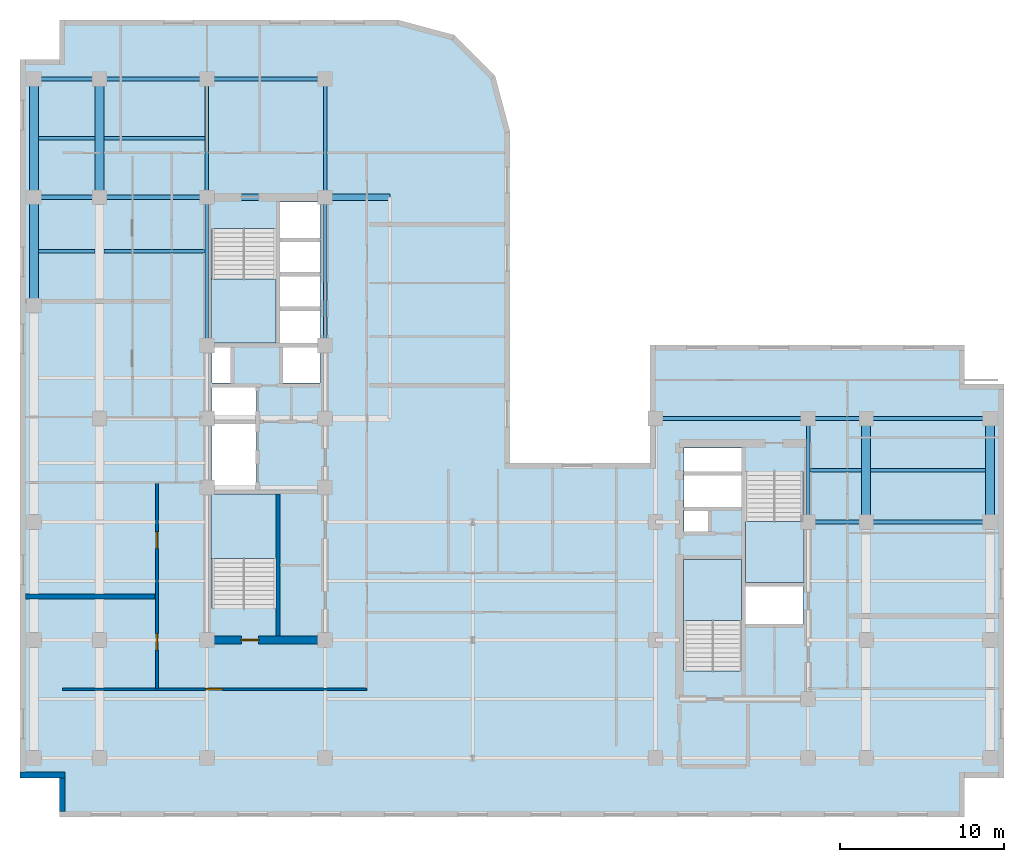
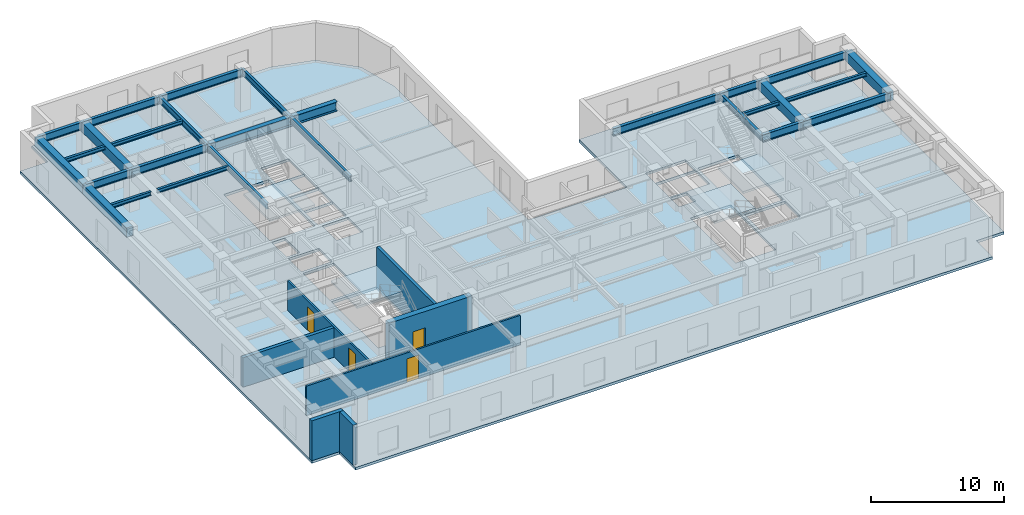
# One storey, part 3 of 11: 27 beams, 7 walls, 5 slabs, 4 doors, 4 openings, 4 elements without a shape of their own.
"""IFC4 building model written with IfcOpenShell, lengths in metres."""

from ifc_helpers import new_model, entity, si_unit, converted_unit, direction, frame, origin_with_axes, origin_2d_with_axis, place, context, subcontext, project, spatial, polyline, rectangle, i_section, outline, extrude, material, layer, layer_set, material_profile, profile_set, type_object, element, fill, aggregate, save


model = new_model("IFC4")

# Units and contexts
model_context = context("Model", 3, precision=1e-05, world=origin_with_axes(), true_north=direction((0.0, 1.0)))
body_context = subcontext(model_context, "Body", "Model", "MODEL_VIEW")
ifc_project = project(units=[si_unit("LENGTHUNIT", "METRE"), si_unit("AREAUNIT", "SQUARE_METRE"), si_unit("VOLUMEUNIT", "CUBIC_METRE"), converted_unit("PLANEANGLEUNIT", "DEGREE", entity("IfcPlaneAngleMeasure", 0.017453292519943295), si_unit("PLANEANGLEUNIT", "RADIAN"), dimensions=[0, 0, 0, 0, 0, 0, 0]), si_unit("MASSUNIT", "GRAM", prefix="KILO"), si_unit("THERMODYNAMICTEMPERATUREUNIT", "KELVIN")], contexts=[model_context])

# Site, building, storey
site_placement = place(None, origin_with_axes())
site = spatial("IfcSite", under=ifc_project, at=site_placement, CompositionType="ELEMENT")
building_placement = place(site_placement, origin_with_axes())
building = spatial("IfcBuilding", under=site, at=building_placement, Name="Varnlund Millrace Tower", CompositionType="ELEMENT")
storey_placement = place(building_placement, frame((0.0, 0.0, 204.3), z_axis=(0.0, 0.0, 1.0), x_axis=(1.0, 0.0, 0.0)))
storey = spatial("IfcBuildingStorey", under=building, at=storey_placement, Name="L50", CompositionType="ELEMENT", Elevation=204.3)

# Beams
ifc_material_1 = material(Name="Steel ASTM A992 Grade 50", Category="steel")
ifc_material_profile_1 = material_profile(ifc_material_1, i_section(OverallWidth=0.214, OverallDepth=0.549, WebThickness=0.0147, FlangeThickness=0.0236, FilletRadius=0.015, at=origin_2d_with_axis()), Name="Steel ASTM A992 Grade 50")
ifc_profile_set_1 = profile_set([ifc_material_profile_1], Name="Steel ASTM A992 Grade 50")
beam_type_1 = type_object("IfcBeamType", Name="Type-Beam-W21X93", PredefinedType="BEAM", material=ifc_profile_set_1)
beam_1_placement = place(storey_placement, frame((11.4, 28.75, 3.3855), z_axis=(0.0, 1.0, 0.0), x_axis=(-1.0, 0.0, 0.0)))
element("IfcBeam", 1, at=beam_1_placement, inside=storey, type_object=beam_type_1, Name="Type-Beam-W21X93", PredefinedType="BEAM", context=body_context, shape_type="SweptSolid", body=[
    extrude(i_section(OverallWidth=0.214, OverallDepth=0.549, WebThickness=0.0147, FlangeThickness=0.0236, FilletRadius=0.015, at=origin_2d_with_axis()), origin_with_axes(), (0.0, 0.0, 1.0), 9.05),
])
beam_2_placement = place(storey_placement, frame((11.4, 37.8, 3.3855), z_axis=(0.0, 1.0, 0.0), x_axis=(-1.0, 0.0, 0.0)))
element("IfcBeam", 2, at=beam_2_placement, inside=storey, type_object=beam_type_1, Name="Type-Beam-W21X93", PredefinedType="BEAM", context=body_context, shape_type="SweptSolid", body=[
    extrude(i_section(OverallWidth=0.214, OverallDepth=0.549, WebThickness=0.0147, FlangeThickness=0.0236, FilletRadius=0.015, at=origin_2d_with_axis()), origin_with_axes(), (0.0, 0.0, 1.0), 7.2),
])
beam_3_placement = place(storey_placement, frame((18.6, 28.75, 3.3855), z_axis=(0.0, 1.0, 0.0), x_axis=(-1.0, 0.0, 0.0)))
element("IfcBeam", 3, at=beam_3_placement, inside=storey, type_object=beam_type_1, Name="Type-Beam-W21X93", PredefinedType="BEAM", context=body_context, shape_type="SweptSolid", body=[
    extrude(i_section(OverallWidth=0.214, OverallDepth=0.549, WebThickness=0.0147, FlangeThickness=0.0236, FilletRadius=0.015, at=origin_2d_with_axis()), origin_with_axes(), (0.0, 0.0, 1.0), 9.05),
])
beam_4_placement = place(storey_placement, frame((18.6, 37.8, 3.3855), z_axis=(0.0, 1.0, 0.0), x_axis=(-1.0, 0.0, 0.0)))
element("IfcBeam", 4, at=beam_4_placement, inside=storey, type_object=beam_type_1, Name="Type-Beam-W21X93", PredefinedType="BEAM", context=body_context, shape_type="SweptSolid", body=[
    extrude(i_section(OverallWidth=0.214, OverallDepth=0.549, WebThickness=0.0147, FlangeThickness=0.0236, FilletRadius=0.015, at=origin_2d_with_axis()), origin_with_axes(), (0.0, 0.0, 1.0), 7.2),
])
beam_5_placement = place(storey_placement, frame((48.05, 18.0, 3.3855), z_axis=(0.0, 1.0, 0.0), x_axis=(-1.0, 0.0, 0.0)))
element("IfcBeam", 5, at=beam_5_placement, inside=storey, type_object=beam_type_1, Name="Type-Beam-W21X93", PredefinedType="BEAM", context=body_context, shape_type="SweptSolid", body=[
    extrude(i_section(OverallWidth=0.214, OverallDepth=0.549, WebThickness=0.0147, FlangeThickness=0.0236, FilletRadius=0.015, at=origin_2d_with_axis()), origin_with_axes(), (0.0, 0.0, 1.0), 6.3),
])
ifc_material_profile_2 = material_profile(ifc_material_1, i_section(OverallWidth=0.256, OverallDepth=0.693, WebThickness=0.0145, FlangeThickness=0.0236, FilletRadius=0.018, at=origin_2d_with_axis()), Name="Steel ASTM A992 Grade 50")
ifc_profile_set_2 = profile_set([ifc_material_profile_2], Name="Steel ASTM A992 Grade 50")
beam_type_2 = type_object("IfcBeamType", Name="Type-Girder-W27X114", PredefinedType="USERDEFINED", material=ifc_profile_set_2)
beam_6_placement = place(storey_placement, frame((48.05, 18.0, 3.3135), z_axis=(1.0, 0.0, 0.0), x_axis=(0.0, 1.0, 0.0)))
element("IfcBeam", 6, at=beam_6_placement, inside=storey, type_object=beam_type_2, Name="Type-Girder-W27X114", ObjectType="GIRDER", PredefinedType="USERDEFINED", context=body_context, shape_type="SweptSolid", body=[
    extrude(i_section(OverallWidth=0.256, OverallDepth=0.693, WebThickness=0.0145, FlangeThickness=0.0236, FilletRadius=0.018, at=origin_2d_with_axis()), origin_with_axes(), (0.0, 0.0, 1.0), 3.55),
])
beam_7_placement = place(storey_placement, frame((51.6, 18.0, 3.3135), z_axis=(1.0, 0.0, 0.0), x_axis=(0.0, 1.0, 0.0)))
element("IfcBeam", 7, at=beam_7_placement, inside=storey, type_object=beam_type_2, Name="Type-Girder-W27X114", ObjectType="GIRDER", PredefinedType="USERDEFINED", context=body_context, shape_type="SweptSolid", body=[
    extrude(i_section(OverallWidth=0.256, OverallDepth=0.693, WebThickness=0.0145, FlangeThickness=0.0236, FilletRadius=0.018, at=origin_2d_with_axis()), origin_with_axes(), (0.0, 0.0, 1.0), 7.55),
])
beam_8_placement = place(storey_placement, frame((38.75, 24.3, 3.3135), z_axis=(1.0, 0.0, 0.0), x_axis=(0.0, 1.0, 0.0)))
element("IfcBeam", 8, at=beam_8_placement, inside=storey, type_object=beam_type_2, Name="Type-Girder-W27X114", ObjectType="GIRDER", PredefinedType="USERDEFINED", context=body_context, shape_type="SweptSolid", body=[
    extrude(i_section(OverallWidth=0.256, OverallDepth=0.693, WebThickness=0.0145, FlangeThickness=0.0236, FilletRadius=0.018, at=origin_2d_with_axis()), origin_with_axes(), (0.0, 0.0, 1.0), 9.3),
])
beam_9_placement = place(storey_placement, frame((48.05, 24.3, 3.3135), z_axis=(1.0, 0.0, 0.0), x_axis=(0.0, 1.0, 0.0)))
element("IfcBeam", 9, at=beam_9_placement, inside=storey, type_object=beam_type_2, Name="Type-Girder-W27X114", ObjectType="GIRDER", PredefinedType="USERDEFINED", context=body_context, shape_type="SweptSolid", body=[
    extrude(i_section(OverallWidth=0.256, OverallDepth=0.693, WebThickness=0.0145, FlangeThickness=0.0236, FilletRadius=0.018, at=origin_2d_with_axis()), origin_with_axes(), (0.0, 0.0, 1.0), 3.55),
])
beam_10_placement = place(storey_placement, frame((51.6, 24.3, 3.3135), z_axis=(1.0, 0.0, 0.0), x_axis=(0.0, 1.0, 0.0)))
element("IfcBeam", 10, at=beam_10_placement, inside=storey, type_object=beam_type_2, Name="Type-Girder-W27X114", ObjectType="GIRDER", PredefinedType="USERDEFINED", context=body_context, shape_type="SweptSolid", body=[
    extrude(i_section(OverallWidth=0.256, OverallDepth=0.693, WebThickness=0.0145, FlangeThickness=0.0236, FilletRadius=0.018, at=origin_2d_with_axis()), origin_with_axes(), (0.0, 0.0, 1.0), 7.55),
])
beam_11_placement = place(storey_placement, frame((0.85, 37.8, 3.3135), z_axis=(1.0, 0.0, 0.0), x_axis=(0.0, 1.0, 0.0)))
element("IfcBeam", 11, at=beam_11_placement, inside=storey, type_object=beam_type_2, Name="Type-Girder-W27X114", ObjectType="GIRDER", PredefinedType="USERDEFINED", context=body_context, shape_type="SweptSolid", body=[
    extrude(i_section(OverallWidth=0.256, OverallDepth=0.693, WebThickness=0.0145, FlangeThickness=0.0236, FilletRadius=0.018, at=origin_2d_with_axis()), origin_with_axes(), (0.0, 0.0, 1.0), 4.0),
])
beam_12_placement = place(storey_placement, frame((4.85, 37.8, 3.3135), z_axis=(1.0, 0.0, 0.0), x_axis=(0.0, 1.0, 0.0)))
element("IfcBeam", 12, at=beam_12_placement, inside=storey, type_object=beam_type_2, Name="Type-Girder-W27X114", ObjectType="GIRDER", PredefinedType="USERDEFINED", context=body_context, shape_type="SweptSolid", body=[
    extrude(i_section(OverallWidth=0.256, OverallDepth=0.693, WebThickness=0.0145, FlangeThickness=0.0236, FilletRadius=0.018, at=origin_2d_with_axis()), origin_with_axes(), (0.0, 0.0, 1.0), 6.55),
])
beam_13_placement = place(storey_placement, frame((0.85, 45.0, 3.3135), z_axis=(1.0, 0.0, 0.0), x_axis=(0.0, 1.0, 0.0)))
element("IfcBeam", 13, at=beam_13_placement, inside=storey, type_object=beam_type_2, Name="Type-Girder-W27X114", ObjectType="GIRDER", PredefinedType="USERDEFINED", context=body_context, shape_type="SweptSolid", body=[
    extrude(i_section(OverallWidth=0.256, OverallDepth=0.693, WebThickness=0.0145, FlangeThickness=0.0236, FilletRadius=0.018, at=origin_2d_with_axis()), origin_with_axes(), (0.0, 0.0, 1.0), 4.0),
])
beam_14_placement = place(storey_placement, frame((4.85, 45.0, 3.3135), z_axis=(1.0, 0.0, 0.0), x_axis=(0.0, 1.0, 0.0)))
element("IfcBeam", 14, at=beam_14_placement, inside=storey, type_object=beam_type_2, Name="Type-Girder-W27X114", ObjectType="GIRDER", PredefinedType="USERDEFINED", context=body_context, shape_type="SweptSolid", body=[
    extrude(i_section(OverallWidth=0.256, OverallDepth=0.693, WebThickness=0.0145, FlangeThickness=0.0236, FilletRadius=0.018, at=origin_2d_with_axis()), origin_with_axes(), (0.0, 0.0, 1.0), 6.55),
])
beam_15_placement = place(storey_placement, frame((11.4, 45.0, 3.3135), z_axis=(1.0, 0.0, 0.0), x_axis=(0.0, 1.0, 0.0)))
element("IfcBeam", 15, at=beam_15_placement, inside=storey, type_object=beam_type_2, Name="Type-Girder-W27X114", ObjectType="GIRDER", PredefinedType="USERDEFINED", context=body_context, shape_type="SweptSolid", body=[
    extrude(i_section(OverallWidth=0.256, OverallDepth=0.693, WebThickness=0.0145, FlangeThickness=0.0236, FilletRadius=0.018, at=origin_2d_with_axis()), origin_with_axes(), (0.0, 0.0, 1.0), 7.2),
])
ifc_material_profile_3 = material_profile(ifc_material_1, i_section(OverallWidth=0.399, OverallDepth=0.855, WebThickness=0.0182, FlangeThickness=0.0292, FilletRadius=0.022, at=origin_2d_with_axis()), Name="Steel ASTM A992 Grade 50")
ifc_profile_set_3 = profile_set([ifc_material_profile_3], Name="Steel ASTM A992 Grade 50")
beam_type_3 = type_object("IfcBeamType", Name="Type-Girder-W33X201", PredefinedType="USERDEFINED", material=ifc_profile_set_3)
beam_16_placement = place(storey_placement, frame((11.4, 37.8, 3.2325), z_axis=(1.0, 0.0, 0.0), x_axis=(0.0, 1.0, 0.0)))
element("IfcBeam", 16, at=beam_16_placement, inside=storey, type_object=beam_type_3, Name="Type-Girder-W33X201", ObjectType="GIRDER", PredefinedType="USERDEFINED", context=body_context, shape_type="SweptSolid", body=[
    extrude(i_section(OverallWidth=0.399, OverallDepth=0.855, WebThickness=0.0182, FlangeThickness=0.0292, FilletRadius=0.022, at=origin_2d_with_axis()), origin_with_axes(), (0.0, 0.0, 1.0), 11.15),
])
ifc_material_profile_4 = material_profile(ifc_material_1, i_section(OverallWidth=0.204, OverallDepth=0.35, WebThickness=0.0086, FlangeThickness=0.0151, FilletRadius=0.013, at=origin_2d_with_axis()), Name="Steel ASTM A992 Grade 50")
ifc_profile_set_4 = profile_set([ifc_material_profile_4], Name="Steel ASTM A992 Grade 50")
beam_type_4 = type_object("IfcBeamType", Name="Type-Joist-W14X48", PredefinedType="JOIST", material=ifc_profile_set_4)
for number, where, z_axis, x_axis, name in (
    (17, (1.125, 34.5, 3.485), (1.0, 0.0, 0.0), (0.0, 1.0, 0.0), "Type-Joist-W14X48"),
    (18, (1.125, 41.4, 3.485), (1.0, 0.0, 0.0), (0.0, 1.0, 0.0), "Type-Joist-W14X48"),
):
    element("IfcBeam", number, at=place(storey_placement, frame(where, z_axis=z_axis, x_axis=x_axis)), inside=storey, type_object=beam_type_4, Name=name, PredefinedType="JOIST", context=body_context, shape_type="SweptSolid", body=[
        extrude(i_section(OverallWidth=0.204, OverallDepth=0.35, WebThickness=0.0086, FlangeThickness=0.0151, FilletRadius=0.013, at=origin_2d_with_axis()), origin_with_axes(), (0.0, 0.0, 1.0), 3.45),
    ])
for number, where, z_axis, x_axis, name in (
    (19, (5.125, 34.5, 3.485), (1.0, 0.0, 0.0), (0.0, 1.0, 0.0), "Type-Joist-W14X48"),
    (20, (5.125, 41.4, 3.485), (1.0, 0.0, 0.0), (0.0, 1.0, 0.0), "Type-Joist-W14X48"),
):
    element("IfcBeam", number, at=place(storey_placement, frame(where, z_axis=z_axis, x_axis=x_axis)), inside=storey, type_object=beam_type_4, Name=name, PredefinedType="JOIST", context=body_context, shape_type="SweptSolid", body=[
        extrude(i_section(OverallWidth=0.204, OverallDepth=0.35, WebThickness=0.0086, FlangeThickness=0.0151, FilletRadius=0.013, at=origin_2d_with_axis()), origin_with_axes(), (0.0, 0.0, 1.0), 6.168),
    ])
beam_17_placement = place(storey_placement, frame((48.157, 21.15, 3.485), z_axis=(1.0, 0.0, 0.0), x_axis=(0.0, 1.0, 0.0)))
element("IfcBeam", 21, at=beam_17_placement, inside=storey, type_object=beam_type_4, Name="Type-Joist-W14X48", PredefinedType="JOIST", context=body_context, shape_type="SweptSolid", body=[
    extrude(i_section(OverallWidth=0.204, OverallDepth=0.35, WebThickness=0.0086, FlangeThickness=0.0151, FilletRadius=0.013, at=origin_2d_with_axis()), origin_with_axes(), (0.0, 0.0, 1.0), 3.168),
])
beam_18_placement = place(storey_placement, frame((51.875, 21.15, 3.485), z_axis=(1.0, 0.0, 0.0), x_axis=(0.0, 1.0, 0.0)))
element("IfcBeam", 22, at=beam_18_placement, inside=storey, type_object=beam_type_4, Name="Type-Joist-W14X48", PredefinedType="JOIST", context=body_context, shape_type="SweptSolid", body=[
    extrude(i_section(OverallWidth=0.204, OverallDepth=0.35, WebThickness=0.0086, FlangeThickness=0.0151, FilletRadius=0.013, at=origin_2d_with_axis()), origin_with_axes(), (0.0, 0.0, 1.0), 7.0),
])
ifc_material_2 = material(Name="Concrete C60/75", Category="concrete")
ifc_material_profile_5 = material_profile(ifc_material_2, rectangle(XDim=0.55, YDim=0.85, at=origin_2d_with_axis()), Name="Concrete C60/75")
ifc_profile_set_5 = profile_set([ifc_material_profile_5], Name="Concrete C60/75")
beam_type_5 = type_object("IfcBeamType", Name="Type-Spandrel-RC550X850", PredefinedType="SPANDREL", material=ifc_profile_set_5)
beam_19_placement = place(storey_placement, frame((0.85, 31.2, 3.235), z_axis=(0.0, 1.0, 0.0), x_axis=(-1.0, 0.0, 0.0)))
element("IfcBeam", 23, at=beam_19_placement, inside=storey, type_object=beam_type_5, Name="Type-Spandrel-RC550X850", PredefinedType="SPANDREL", context=body_context, shape_type="SweptSolid", body=[
    extrude(rectangle(XDim=0.55, YDim=0.85, at=origin_2d_with_axis()), origin_with_axes(), (0.0, 0.0, 1.0), 6.6),
])
for number, where, z_axis, x_axis, name in (
    (24, (0.85, 37.8, 3.235), (0.0, 1.0, 0.0), (-1.0, 0.0, 0.0), "Type-Spandrel-RC550X850"),
    (25, (4.85, 37.8, 3.235), (0.0, 1.0, 0.0), (-1.0, 0.0, 0.0), "Type-Spandrel-RC550X850"),
):
    element("IfcBeam", number, at=place(storey_placement, frame(where, z_axis=z_axis, x_axis=x_axis)), inside=storey, type_object=beam_type_5, Name=name, PredefinedType="SPANDREL", context=body_context, shape_type="SweptSolid", body=[
        extrude(rectangle(XDim=0.55, YDim=0.85, at=origin_2d_with_axis()), origin_with_axes(), (0.0, 0.0, 1.0), 7.2),
    ])
for number, where, z_axis, x_axis, name in (
    (26, (51.6, 18.0, 3.235), (0.0, 1.0, 0.0), (-1.0, 0.0, 0.0), "Type-Spandrel-RC550X850"),
    (27, (59.15, 18.0, 3.235), (0.0, 1.0, 0.0), (-1.0, 0.0, 0.0), "Type-Spandrel-RC550X850"),
):
    element("IfcBeam", number, at=place(storey_placement, frame(where, z_axis=z_axis, x_axis=x_axis)), inside=storey, type_object=beam_type_5, Name=name, PredefinedType="SPANDREL", context=body_context, shape_type="SweptSolid", body=[
        extrude(rectangle(XDim=0.55, YDim=0.85, at=origin_2d_with_axis()), origin_with_axes(), (0.0, 0.0, 1.0), 6.3),
    ])

# Slab
ifc_layer_1 = layer(ifc_material_2, 0.24, Name="Concrete C60/75")
ifc_layer_set_1 = layer_set([ifc_layer_1], Name="Concrete C60/75")
slab_type_1 = type_object("IfcSlabType", Name="Type-Deck-Plate-Typical-240", PredefinedType="FLOOR", material=ifc_layer_set_1)
slab_1_placement = place(storey_placement, frame((0.0, 0.0, -0.24), z_axis=(0.0, 0.0, 1.0), x_axis=(1.0, 0.0, 0.0)))
element("IfcSlab", 28, at=slab_1_placement, inside=storey, type_object=slab_type_1, Name="Type-Deck-Plate-Typical-240", PredefinedType="FLOOR", context=body_context, shape_type="SweptSolid", body=[
    extrude(outline(polyline([(29.881, 21.6), (29.881, 41.8), (28.97, 45.2), (26.481, 47.689), (23.081, 48.6), (2.4, 48.6), (2.4, 46.2), (0.0, 46.2), (0.0, 2.4), (2.4, 2.4), (2.4, 0.0), (57.6, 0.0), (57.6, 2.4), (60.0, 2.4), (60.0, 26.4), (57.6, 26.4), (57.6, 28.8), (38.4, 28.8), (38.4, 21.6), (29.881, 21.6)]), holes=[polyline([(15.6, 12.715), (11.7, 12.715), (11.7, 19.7), (15.6, 19.7), (15.6, 12.715)]), polyline([(14.38, 23.98), (14.38, 19.94), (11.7, 19.94), (11.7, 23.98), (14.38, 23.98)]), polyline([(14.38, 24.24), (11.7, 24.24), (11.7, 26.2), (14.38, 26.2), (14.38, 24.24)]), polyline([(12.84, 26.46), (11.7, 26.46), (11.7, 28.65), (12.84, 28.65), (12.84, 26.46)]), polyline([(18.3, 28.9), (15.84, 28.9), (15.84, 30.98), (18.3, 30.98), (18.3, 28.9)]), polyline([(18.3, 31.02), (15.84, 31.02), (15.84, 33.08), (18.3, 33.08), (18.3, 31.02)]), polyline([(15.6, 28.9), (11.7, 28.9), (11.7, 35.885), (15.6, 35.885), (15.6, 28.9)]), polyline([(18.3, 33.12), (15.84, 33.12), (15.84, 35.18), (18.3, 35.18), (18.3, 33.12)]), polyline([(44.0, 8.915), (40.5, 8.915), (40.5, 15.7), (44.0, 15.7), (44.0, 8.915)]), polyline([(47.75, 11.74), (44.25, 11.74), (44.25, 14.06), (47.75, 14.06), (47.75, 11.74)]), polyline([(47.75, 14.3), (44.25, 14.3), (44.25, 21.085), (47.75, 21.085), (47.75, 14.3)]), polyline([(41.95, 17.42), (40.5, 17.42), (40.5, 18.72), (41.95, 18.72), (41.95, 17.42)]), polyline([(44.0, 18.88), (40.5, 18.88), (40.5, 20.94), (44.0, 20.94), (44.0, 18.88)]), polyline([(44.0, 21.0), (40.5, 21.0), (40.5, 22.5), (44.0, 22.5), (44.0, 21.0)]), polyline([(16.04, 26.46), (16.04, 28.65), (18.3, 28.65), (18.3, 26.46), (16.04, 26.46)]), polyline([(15.84, 35.22), (15.84, 37.5), (18.3, 37.5), (18.3, 35.22), (15.84, 35.22)])]), origin_with_axes(), (0.0, 0.0, 1.0), 0.24),
])

# Stair, slab
ifc_material_3 = material(Name="Concrete C50/60", Category="concrete")
stair_type_1 = type_object("IfcStairType", Name="Type-Stair-Dogleg-185-390", PredefinedType="HALF_TURN_STAIR", material=ifc_material_3)
stair_1_placement = place(storey_placement, origin_with_axes())
stair_1 = element("IfcStair", 29, at=stair_1_placement, inside=storey, type_object=stair_type_1, Name="Type-Stair-Dogleg-185-390", PredefinedType="HALF_TURN_STAIR")
ifc_layer_2 = layer(ifc_material_3, 0.2, Name="Concrete C50/60")
ifc_layer_set_2 = layer_set([ifc_layer_2], Name="Concrete C50/60")
slab_type_2 = type_object("IfcSlabType", Name="Type-StairLanding-200", PredefinedType="LANDING", material=ifc_layer_set_2)
slab_2_placement = place(storey_placement, frame((0.0, 0.0, 1.75), z_axis=(0.0, 0.0, 1.0), x_axis=(1.0, 0.0, 0.0)))
slab_2 = element("IfcSlab", 30, at=slab_2_placement, type_object=slab_type_2, Name="ST-A1 landing 1", PredefinedType="LANDING", context=body_context, shape_type="SweptSolid", body=[
    extrude(outline(polyline([(15.6, 15.78), (15.6, 19.7), (11.65, 19.7), (11.65, 15.78), (15.6, 15.78)])), origin_with_axes(), (0.0, 0.0, 1.0), 0.2),
])
aggregate(stair_1, [slab_2])

stair_2_placement = place(storey_placement, origin_with_axes())
stair_2 = element("IfcStair", 31, at=stair_2_placement, inside=storey, type_object=stair_type_1, Name="Type-Stair-Dogleg-185-390", PredefinedType="HALF_TURN_STAIR")
slab_3_placement = place(storey_placement, frame((0.0, 0.0, 1.75), z_axis=(0.0, 0.0, 1.0), x_axis=(1.0, 0.0, 0.0)))
slab_3 = element("IfcSlab", 32, at=slab_3_placement, type_object=slab_type_2, Name="ST-A2 landing 1", PredefinedType="LANDING", context=body_context, shape_type="SweptSolid", body=[
    extrude(outline(polyline([(11.65, 32.82), (11.65, 28.9), (15.6, 28.9), (15.6, 32.82), (11.65, 32.82)])), origin_with_axes(), (0.0, 0.0, 1.0), 0.2),
])
aggregate(stair_2, [slab_3])

stair_type_2 = type_object("IfcStairType", Name="Type-Stair-Dogleg-165-390", PredefinedType="HALF_TURN_STAIR", material=ifc_material_3)
stair_3_placement = place(storey_placement, origin_with_axes())
stair_3 = element("IfcStair", 33, at=stair_3_placement, inside=storey, type_object=stair_type_2, Name="Type-Stair-Dogleg-165-390", PredefinedType="HALF_TURN_STAIR")
slab_4_placement = place(storey_placement, frame((0.0, 0.0, 1.75), z_axis=(0.0, 0.0, 1.0), x_axis=(1.0, 0.0, 0.0)))
slab_4 = element("IfcSlab", 34, at=slab_4_placement, type_object=slab_type_2, Name="ST-B1 landing 1", PredefinedType="LANDING", context=body_context, shape_type="SweptSolid", body=[
    extrude(outline(polyline([(44.0, 11.98), (44.0, 15.7), (40.45, 15.7), (40.45, 11.98), (44.0, 11.98)])), origin_with_axes(), (0.0, 0.0, 1.0), 0.2),
])
aggregate(stair_3, [slab_4])

stair_4_placement = place(storey_placement, origin_with_axes())
stair_4 = element("IfcStair", 35, at=stair_4_placement, inside=storey, type_object=stair_type_2, Name="Type-Stair-Dogleg-165-390", PredefinedType="HALF_TURN_STAIR")
slab_5_placement = place(storey_placement, frame((0.0, 0.0, 1.75), z_axis=(0.0, 0.0, 1.0), x_axis=(1.0, 0.0, 0.0)))
slab_5 = element("IfcSlab", 36, at=slab_5_placement, type_object=slab_type_2, Name="ST-B2 landing 1", PredefinedType="LANDING", context=body_context, shape_type="SweptSolid", body=[
    extrude(outline(polyline([(44.25, 18.02), (44.25, 14.3), (47.8, 14.3), (47.8, 18.02), (44.25, 18.02)])), origin_with_axes(), (0.0, 0.0, 1.0), 0.2),
])
aggregate(stair_4, [slab_5])

# Wall, opening, door
ifc_material_4 = material(Name="Concrete C70/85", Category="concrete")
ifc_layer_3 = layer(ifc_material_4, 0.5, Name="Concrete C70/85")
ifc_layer_set_3 = layer_set([ifc_layer_3], Name="Concrete C70/85")
wall_type_1 = type_object("IfcWallType", Name="Type-CoreWall-Shear-500-C70", PredefinedType="SHEAR", material=ifc_layer_set_3)
wall_1_placement = place(storey_placement, frame((11.4, 10.8, 0.0), z_axis=(0.0, 0.0, 1.0), x_axis=(1.0, 0.0, 0.0)))
wall_1 = element("IfcWall", 37, at=wall_1_placement, inside=storey, type_object=wall_type_1, Name="Type-CoreWall-Shear-500-C70", PredefinedType="SHEAR", context=body_context, shape_type="SweptSolid", body=[
    extrude(outline(polyline([(0.0, -0.25), (7.2, -0.25), (7.2, 0.25), (0.0, 0.25), (0.0, -0.25)])), origin_with_axes(), (0.0, 0.0, 1.0), 3.66),
])
opening_1_placement = place(wall_1_placement, frame((2.625, 0.0, 0.0), z_axis=(0.0, 0.0, 1.0), x_axis=(1.0, 0.0, 0.0)))
opening_1 = element("IfcOpeningElement", 38, at=opening_1_placement, cuts=wall_1, Name="Opening L50:DR-STA1", PredefinedType="OPENING", context=body_context, shape_type="SweptSolid", body=[
    extrude(rectangle(XDim=1.05, YDim=0.52, at=origin_2d_with_axis()), origin_with_axes(), (0.0, 0.0, 1.0), 2.15),
])
ifc_material_5 = material(Name="Fire-rated hollow steel door", Category="steel")
door_type_1 = type_object("IfcDoorType", Name="Type-FireDoor-Stair-1050X2150", OperationType="NOTDEFINED", PredefinedType="DOOR", material=ifc_material_5)
door_1_placement = place(wall_1_placement, frame((2.625, 0.0, 0.0), z_axis=(0.0, 0.0, 1.0), x_axis=(1.0, 0.0, 0.0)))
door_1 = element("IfcDoor", 39, at=door_1_placement, inside=storey, type_object=door_type_1, Name="Type-FireDoor-Stair-1050X2150", OperationType="SINGLE_SWING_LEFT", OverallHeight=2.15, OverallWidth=1.05, PredefinedType="DOOR", context=body_context, shape_type="SweptSolid", body=[
    extrude(rectangle(XDim=1.05, YDim=0.09, at=origin_2d_with_axis()), origin_with_axes(), (0.0, 0.0, 1.0), 2.15),
])
fill(opening_1, door_1)

# Walls
ifc_material_6 = material(Name="Precast concrete C50/60", Category="concrete")
ifc_layer_4 = layer(ifc_material_6, 0.34, Name="Precast concrete C50/60")
ifc_layer_set_4 = layer_set([ifc_layer_4], Name="Precast concrete C50/60")
wall_type_2 = type_object("IfcWallType", Name="Type-ExtWall-Precast-Upper-340", PredefinedType="SOLIDWALL", material=ifc_layer_set_4)
wall_2_placement = place(storey_placement, frame((2.57, 0.34, 0.0), z_axis=(0.0, 0.0, 1.0), x_axis=(0.0, 1.0, 0.0)))
element("IfcWall", 40, at=wall_2_placement, inside=storey, type_object=wall_type_2, Name="Type-ExtWall-Precast-Upper-340", PredefinedType="SOLIDWALL", context=body_context, shape_type="SweptSolid", body=[
    extrude(outline(polyline([(0.0, -0.17), (2.06, -0.17), (2.06, 0.17), (0.0, 0.17), (0.0, -0.17)])), origin_with_axes(), (0.0, 0.0, 1.0), 3.66),
])
wall_3_placement = place(storey_placement, frame((2.74, 2.57, 0.0), z_axis=(0.0, 0.0, 1.0), x_axis=(-1.0, 0.0, 0.0)))
element("IfcWall", 41, at=wall_3_placement, inside=storey, type_object=wall_type_2, Name="Type-ExtWall-Precast-Upper-340", PredefinedType="SOLIDWALL", context=body_context, shape_type="SweptSolid", body=[
    extrude(outline(polyline([(0.0, -0.17), (2.74, -0.17), (2.74, 0.17), (0.0, 0.17), (0.0, -0.17)])), origin_with_axes(), (0.0, 0.0, 1.0), 3.66),
])
ifc_material_7 = material(Name="Double-stud STC-60 conference acoustic partition", Category="gypsum")
ifc_layer_5 = layer(ifc_material_7, 0.28, Name="Double-stud STC-60 conference acoustic partition")
ifc_layer_set_5 = layer_set([ifc_layer_5], Name="Double-stud STC-60 conference acoustic partition")
wall_type_3 = type_object("IfcWallType", Name="Type-Partition-Acoustic-280", PredefinedType="PARTITIONING", material=ifc_layer_set_5)
wall_4_placement = place(storey_placement, frame((0.335, 13.455, 0.0), z_axis=(0.0, 0.0, 1.0), x_axis=(1.0, 0.0, 0.0)))
element("IfcWall", 42, at=wall_4_placement, inside=storey, type_object=wall_type_3, Name="Type-Partition-Acoustic-280", PredefinedType="PARTITIONING", context=body_context, shape_type="SweptSolid", body=[
    extrude(outline(polyline([(0.0, -0.14), (7.895, -0.14), (7.895, 0.14), (0.0, 0.14), (0.0, -0.14)])), origin_with_axes(), (0.0, 0.0, 1.0), 2.7),
])

# Wall, opening, door
ifc_material_8 = material(Name="Fire-rated gypsum board on cold-formed steel framing", Category="steel")
ifc_layer_6 = layer(ifc_material_8, 0.16, Name="Fire-rated gypsum board on cold-formed steel framing")
ifc_layer_set_6 = layer_set([ifc_layer_6], Name="Fire-rated gypsum board on cold-formed steel framing")
wall_type_4 = type_object("IfcWallType", Name="Type-Partition-Corridor-160", PredefinedType="PARTITIONING", material=ifc_layer_set_6)
wall_5_placement = place(storey_placement, frame((2.6, 7.8, 0.0), z_axis=(0.0, 0.0, 1.0), x_axis=(1.0, 0.0, 0.0)))
wall_5 = element("IfcWall", 43, at=wall_5_placement, inside=storey, type_object=wall_type_4, Name="Type-Partition-Corridor-160", PredefinedType="PARTITIONING", context=body_context, shape_type="SweptSolid", body=[
    extrude(outline(polyline([(0.0, -0.08), (18.55, -0.08), (18.55, 0.08), (0.0, 0.08), (0.0, -0.08)])), origin_with_axes(), (0.0, 0.0, 1.0), 2.7),
])
opening_2_placement = place(wall_5_placement, frame((9.245, 0.0, 0.0), z_axis=(0.0, 0.0, 1.0), x_axis=(1.0, 0.0, 0.0)))
opening_2 = element("IfcOpeningElement", 44, at=opening_2_placement, cuts=wall_5, Name="Opening L50:DR-WAS-01", PredefinedType="OPENING", context=body_context, shape_type="SweptSolid", body=[
    extrude(rectangle(XDim=1.0, YDim=0.18, at=origin_2d_with_axis()), origin_with_axes(), (0.0, 0.0, 1.0), 2.15),
])
ifc_material_9 = material(Name="Solid-core white oak and bronze frame door")
door_type_2 = type_object("IfcDoorType", Name="Type-IntDoor-Office-1000X2150", OperationType="NOTDEFINED", PredefinedType="DOOR", material=ifc_material_9)
door_2_placement = place(wall_5_placement, frame((9.245, 0.0, 0.0), z_axis=(0.0, 0.0, 1.0), x_axis=(1.0, 0.0, 0.0)))
door_2 = element("IfcDoor", 45, at=door_2_placement, inside=storey, type_object=door_type_2, Name="Type-IntDoor-Office-1000X2150", OperationType="SINGLE_SWING_LEFT", OverallHeight=2.15, OverallWidth=1.0, PredefinedType="DOOR", context=body_context, shape_type="SweptSolid", body=[
    extrude(rectangle(XDim=1.0, YDim=0.09, at=origin_2d_with_axis()), origin_with_axes(), (0.0, 0.0, 1.0), 2.15),
])
fill(opening_2, door_2)

# Wall, openings, doors
wall_6_placement = place(storey_placement, frame((8.35, 7.8, 0.0), z_axis=(0.0, 0.0, 1.0), x_axis=(0.0, 1.0, 0.0)))
wall_6 = element("IfcWall", 46, at=wall_6_placement, inside=storey, type_object=wall_type_4, Name="Type-Partition-Corridor-160", PredefinedType="PARTITIONING", context=body_context, shape_type="SweptSolid", body=[
    extrude(outline(polyline([(0.0, -0.08), (12.6, -0.08), (12.6, 0.08), (0.0, 0.08), (0.0, -0.08)])), origin_with_axes(), (0.0, 0.0, 1.0), 2.7),
])
opening_3_placement = place(wall_6_placement, frame((2.8925, 0.0, 0.0), z_axis=(0.0, 0.0, 1.0), x_axis=(1.0, 0.0, 0.0)))
opening_3 = element("IfcOpeningElement", 47, at=opening_3_placement, cuts=wall_6, Name="Opening L50:DR-WS-01", PredefinedType="OPENING", context=body_context, shape_type="SweptSolid", body=[
    extrude(rectangle(XDim=1.0, YDim=0.18, at=origin_2d_with_axis()), origin_with_axes(), (0.0, 0.0, 1.0), 2.15),
])
opening_4_placement = place(wall_6_placement, frame((9.0875, 0.0, 0.0), z_axis=(0.0, 0.0, 1.0), x_axis=(1.0, 0.0, 0.0)))
opening_4 = element("IfcOpeningElement", 48, at=opening_4_placement, cuts=wall_6, Name="Opening L50:DR-WS-02", PredefinedType="OPENING", context=body_context, shape_type="SweptSolid", body=[
    extrude(rectangle(XDim=1.0, YDim=0.18, at=origin_2d_with_axis()), origin_with_axes(), (0.0, 0.0, 1.0), 2.15),
])
door_3_placement = place(wall_6_placement, frame((2.8925, 0.0, 0.0), z_axis=(0.0, 0.0, 1.0), x_axis=(1.0, 0.0, 0.0)))
door_3 = element("IfcDoor", 49, at=door_3_placement, inside=storey, type_object=door_type_2, Name="Type-IntDoor-Office-1000X2150", OperationType="SINGLE_SWING_LEFT", OverallHeight=2.15, OverallWidth=1.0, PredefinedType="DOOR", context=body_context, shape_type="SweptSolid", body=[
    extrude(rectangle(XDim=1.0, YDim=0.09, at=origin_2d_with_axis()), origin_with_axes(), (0.0, 0.0, 1.0), 2.15),
])
fill(opening_3, door_3)
door_4_placement = place(wall_6_placement, frame((9.0875, 0.0, 0.0), z_axis=(0.0, 0.0, 1.0), x_axis=(1.0, 0.0, 0.0)))
door_4 = element("IfcDoor", 50, at=door_4_placement, inside=storey, type_object=door_type_2, Name="Type-IntDoor-Office-1000X2150", OperationType="SINGLE_SWING_RIGHT", OverallHeight=2.15, OverallWidth=1.0, PredefinedType="DOOR", context=body_context, shape_type="SweptSolid", body=[
    extrude(rectangle(XDim=1.0, YDim=0.09, at=origin_2d_with_axis()), origin_with_axes(), (0.0, 0.0, 1.0), 2.15),
])
fill(opening_4, door_4)

# Wall
ifc_layer_7 = layer(ifc_material_2, 0.25, Name="Concrete C60/75")
ifc_layer_set_7 = layer_set([ifc_layer_7], Name="Concrete C60/75")
wall_type_5 = type_object("IfcWallType", Name="Type-StairWall-Shear-250", PredefinedType="SHEAR", material=ifc_layer_set_7)
wall_7_placement = place(storey_placement, frame((15.725, 11.05, 0.0), z_axis=(0.0, 0.0, 1.0), x_axis=(0.0, 1.0, 0.0)))
element("IfcWall", 51, at=wall_7_placement, inside=storey, type_object=wall_type_5, Name="Type-StairWall-Shear-250", PredefinedType="SHEAR", context=body_context, shape_type="SweptSolid", body=[
    extrude(outline(polyline([(0.0, -0.125), (8.65, -0.125), (8.65, 0.125), (0.0, 0.125), (0.0, -0.125)])), origin_with_axes(), (0.0, 0.0, 1.0), 3.66),
])

save(model, "model.ifc")
